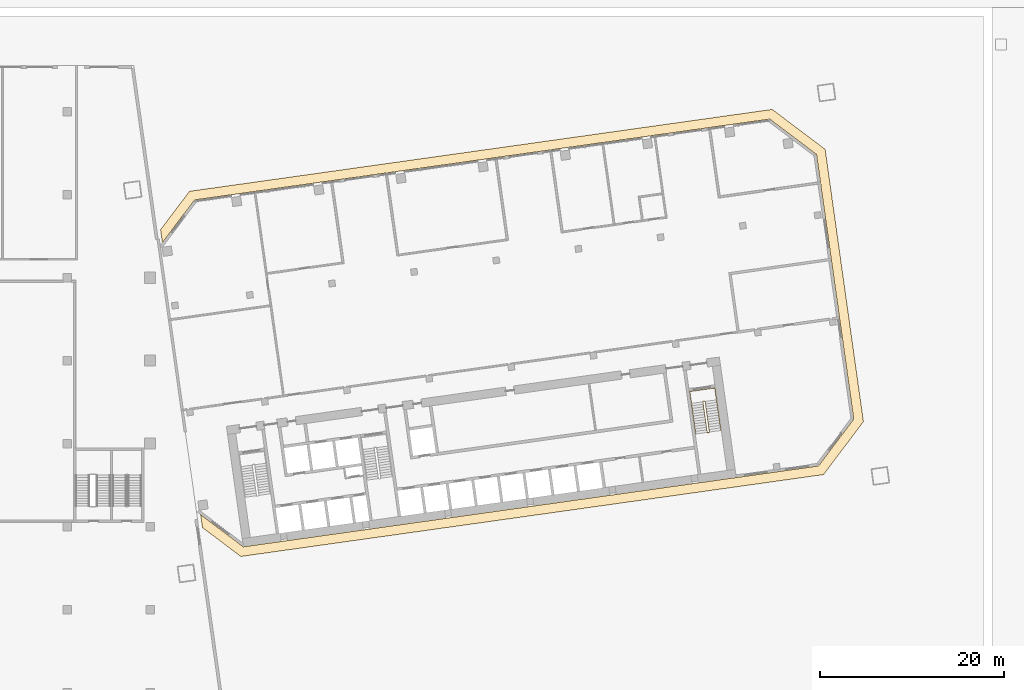
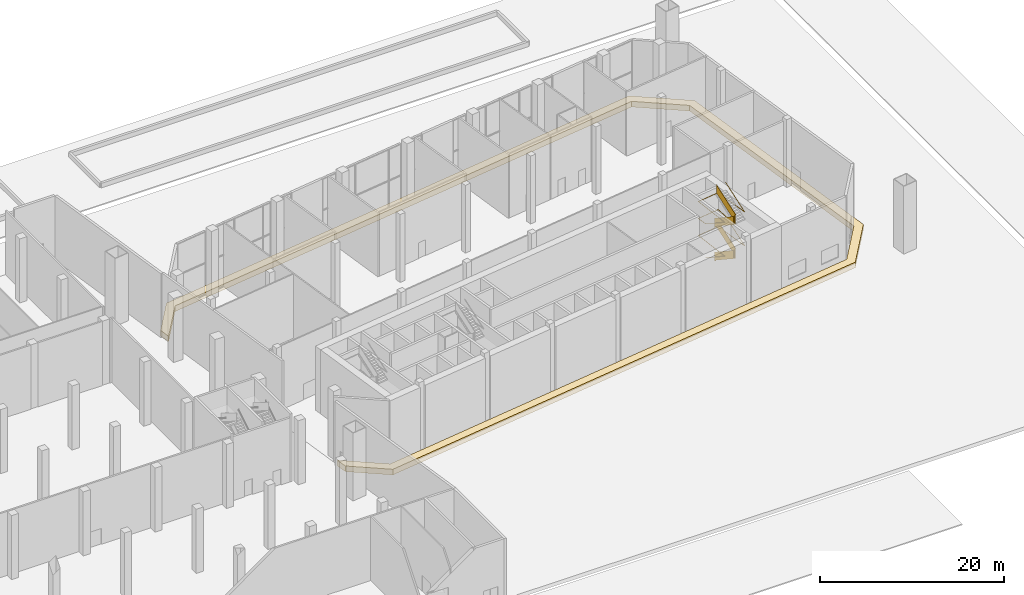
# One storey, part 34 of 34: 2 railings, 1 covering.
"""IFC4 building model written with IfcOpenShell, lengths in metres."""

from ifc_helpers import new_model, si_unit, direction, frame, origin, origin_2d, place, context, subcontext, project, spatial, polyline, rectangle, outline, extrude, material, layer, layer_set, type_object, element, save


model = new_model("IFC4")

# Units and contexts
model_context = context("Model", 3, precision=1e-05, world=origin(), true_north=direction((0.0, 1.0)))
body_context = subcontext(model_context, "Body", "Model", "MODEL_VIEW")
ifc_project = project(units=[si_unit("LENGTHUNIT", "METRE"), si_unit("AREAUNIT", "SQUARE_METRE"), si_unit("VOLUMEUNIT", "CUBIC_METRE"), si_unit("PLANEANGLEUNIT", "RADIAN"), si_unit("MASSUNIT", "GRAM", prefix="KILO")], contexts=[model_context])

# Site, building, storey
site_placement = place(None, origin())
site = spatial("IfcSite", under=ifc_project, at=site_placement, CompositionType="ELEMENT")
building_placement = place(site_placement, origin())
building = spatial("IfcBuilding", under=site, at=building_placement, Name="Mirante Cascada Hotel Towers", CompositionType="ELEMENT")
storey_placement = place(building_placement, origin())
storey = spatial("IfcBuildingStorey", under=building, at=storey_placement, Name="L00", CompositionType="ELEMENT", Elevation=0.0)

# Covering
ifc_material_1 = material(Name="Precast concrete C40/50 white", Category="concrete")
ifc_layer = layer(ifc_material_1, 0.6)
ifc_layer_set = layer_set([ifc_layer], Name="Precast concrete SUNSHADE band 1000x600")
covering_type = type_object("IfcCoveringType", Name="Precast concrete SUNSHADE band 1000x600", PredefinedType="CLADDING", material=ifc_layer_set)
covering_placement = place(storey_placement, frame((0.0, 0.0, -0.6)))
element("IfcCovering", 1, at=covering_placement, inside=storey, type_object=covering_type, Name="Precast concrete SUNSHADE band T2 L00", PredefinedType="CLADDING", context=body_context, shape_type="SweptSolid", body=[
    extrude(outline(polyline([(94.4698, 27.2572), (100.2139, 22.9287), (104.3652, -6.6094), (100.0367, -12.3535), (36.8295, -21.2367), (32.6666, -18.0998), (32.4698, -16.6993), (37.1005, -20.1888), (99.4874, -11.4209), (103.3173, -6.3384), (99.2813, 22.3794), (94.1988, 26.2093), (31.8119, 17.4414), (28.3224, 12.8107), (28.1256, 14.2111), (31.2626, 18.374), (94.4698, 27.2572)])), origin(), (0.0, 0.0, 1.0), 0.75),
])

# Railings
ifc_material_2 = material(Name="Painted steel", Category="steel")
railing_type_1 = type_object("IfcRailingType", Name="Stair guard 1100 steel balustrade", PredefinedType="GUARDRAIL", material=ifc_material_2)
railing_1_placement = place(storey_placement, frame((87.1361, -4.3713, 0.0)))
element("IfcRailing", 2, at=railing_1_placement, inside=storey, type_object=railing_type_1, Name="L00 ST2-C stair guard 1", PredefinedType="GUARDRAIL", context=body_context, shape_type="SweptSolid", body=[
    extrude(rectangle(XDim=0.048, YDim=0.048, at=origin_2d()), frame((0.0, 0.0, 1.076), z_axis=(-0.9902537, -0.1392753, 0.0), x_axis=(0.1392753, -0.9902537, 0.0)), (0.0, 0.0, 1.0), 0.1501),
    extrude(rectangle(XDim=0.02, YDim=1.052, at=origin_2d()), frame((0.0, 0.0, 0.526), z_axis=(-0.9902537, -0.1392753, 0.0), x_axis=(0.1392753, -0.9902537, 0.0)), (0.0, 0.0, 1.0), 0.1501),
    extrude(rectangle(XDim=0.048, YDim=0.048, at=origin_2d()), frame((-0.1486, -0.0209, 1.076), z_axis=(-0.601811, -0.7986386, 0.0), x_axis=(0.7986386, -0.601811, 0.0)), (0.0, 0.9259092, 0.3777462), 0.187),
    extrude(rectangle(XDim=0.02, YDim=1.052, at=origin_2d()), frame((-0.1486, -0.0209, 0.526), z_axis=(-0.601811, -0.7986386, 0.0), x_axis=(0.7986386, -0.601811, 0.0)), (0.0, 0.9259092, 0.3777462), 0.187),
    extrude(rectangle(XDim=0.048, YDim=0.048, at=origin_2d()), frame((-0.1911, -0.0773, 1.2491), z_axis=(0.1391668, -0.990269, 0.0), x_axis=(0.990269, 0.1391668, 0.0)), (0.0, 0.5257875, 0.8506159), 3.9501),
    extrude(rectangle(XDim=0.02, YDim=1.052, at=origin_2d()), frame((-0.1911, -0.0773, 0.6991), z_axis=(0.1391668, -0.990269, 0.0), x_axis=(0.990269, 0.1391668, 0.0)), (0.0, 0.5257875, 0.8506159), 3.9501),
    extrude(rectangle(XDim=0.048, YDim=0.048, at=origin_2d()), frame((0.2765, -3.4046, 3.326), z_axis=(0.9944441, -0.1052656, 0.0), x_axis=(0.1052656, 0.9944441, 0.0)), (0.0, 0.0, 1.0), 0.2061),
    extrude(rectangle(XDim=0.02, YDim=1.052, at=origin_2d()), frame((0.2765, -3.4046, 2.776), z_axis=(0.9944441, -0.1052656, 0.0), x_axis=(0.1052656, 0.9944441, 0.0)), (0.0, 0.0, 1.0), 0.2061),
    extrude(rectangle(XDim=0.048, YDim=0.048, at=origin_2d()), frame((0.4815, -3.4263, 3.326), z_axis=(-0.9902408, -0.1393672, 0.0), x_axis=(0.1393672, -0.9902408, 0.0)), (0.0, 0.0, 1.0), 0.15),
    extrude(rectangle(XDim=0.02, YDim=1.052, at=origin_2d()), frame((0.4815, -3.4263, 2.776), z_axis=(-0.9902408, -0.1393672, 0.0), x_axis=(0.1393672, -0.9902408, 0.0)), (0.0, 0.0, 1.0), 0.15),
    extrude(rectangle(XDim=0.048, YDim=0.048, at=origin_2d()), frame((0.333, -3.4472, 3.326), z_axis=(0.9268624, 0.3754011, 0.0), x_axis=(-0.3754011, 0.9268624, 0.0)), (0.0, 0.6429944, 0.7658709), 0.2692),
    extrude(rectangle(XDim=0.02, YDim=1.052, at=origin_2d()), frame((0.333, -3.4472, 2.776), z_axis=(0.9268624, 0.3754011, 0.0), x_axis=(-0.3754011, 0.9268624, 0.0)), (0.0, 0.6429944, 0.7658709), 0.2692),
    extrude(rectangle(XDim=0.048, YDim=0.048, at=origin_2d()), frame((0.5241, -3.3698, 3.4991), z_axis=(-0.139196, 0.9902648, 0.0), x_axis=(-0.9902648, -0.139196, 0.0)), (0.0, 0.525786, 0.8506169), 3.9501),
    extrude(rectangle(XDim=0.02, YDim=1.052, at=origin_2d()), frame((0.5241, -3.3698, 2.9491), z_axis=(-0.139196, 0.9902648, 0.0), x_axis=(-0.9902648, -0.139196, 0.0)), (0.0, 0.525786, 0.8506169), 3.9501),
    extrude(rectangle(XDim=0.048, YDim=0.048, at=origin_2d()), frame((0.0564, -0.0425, 5.576), z_axis=(-0.7986386, 0.601811, 0.0), x_axis=(-0.601811, -0.7986386, 0.0)), (0.0, 0.0, 1.0), 0.0706),
    extrude(rectangle(XDim=0.02, YDim=1.052, at=origin_2d()), frame((0.0564, -0.0425, 5.026), z_axis=(-0.7986386, 0.601811, 0.0), x_axis=(-0.601811, -0.7986386, 0.0)), (0.0, 0.0, 1.0), 0.0706),
    extrude(rectangle(XDim=0.048, YDim=0.048, at=origin_2d()), frame((0.0, 0.0, 5.576), z_axis=(-0.9902537, -0.1392753, 0.0), x_axis=(0.1392753, -0.9902537, 0.0)), (0.0, 0.0, 1.0), 0.1501),
    extrude(rectangle(XDim=0.02, YDim=1.052, at=origin_2d()), frame((0.0, 0.0, 5.026), z_axis=(-0.9902537, -0.1392753, 0.0), x_axis=(0.1392753, -0.9902537, 0.0)), (0.0, 0.0, 1.0), 0.1501),
    extrude(rectangle(XDim=0.048, YDim=0.048, at=origin_2d()), frame((-0.1486, -0.0209, 5.576), z_axis=(-0.601811, -0.7986386, 0.0), x_axis=(0.7986386, -0.601811, 0.0)), (0.0, 0.9259092, 0.3777462), 0.187),
    extrude(rectangle(XDim=0.02, YDim=1.052, at=origin_2d()), frame((-0.1486, -0.0209, 5.026), z_axis=(-0.601811, -0.7986386, 0.0), x_axis=(0.7986386, -0.601811, 0.0)), (0.0, 0.9259092, 0.3777462), 0.187),
    extrude(rectangle(XDim=0.048, YDim=0.048, at=origin_2d()), frame((-0.1911, -0.0773, 5.7491), z_axis=(0.1391668, -0.990269, 0.0), x_axis=(0.990269, 0.1391668, 0.0)), (0.0, 0.5257875, 0.8506159), 3.9501),
    extrude(rectangle(XDim=0.02, YDim=1.052, at=origin_2d()), frame((-0.1911, -0.0773, 5.1991), z_axis=(0.1391668, -0.990269, 0.0), x_axis=(0.990269, 0.1391668, 0.0)), (0.0, 0.5257875, 0.8506159), 3.9501),
    extrude(rectangle(XDim=0.048, YDim=0.048, at=origin_2d()), frame((0.2765, -3.4046, 7.826), z_axis=(0.9944441, -0.1052656, 0.0), x_axis=(0.1052656, 0.9944441, 0.0)), (0.0, 0.0, 1.0), 0.2061),
    extrude(rectangle(XDim=0.02, YDim=1.052, at=origin_2d()), frame((0.2765, -3.4046, 7.276), z_axis=(0.9944441, -0.1052656, 0.0), x_axis=(0.1052656, 0.9944441, 0.0)), (0.0, 0.0, 1.0), 0.2061),
    extrude(rectangle(XDim=0.048, YDim=0.048, at=origin_2d()), frame((0.4815, -3.4263, 7.826), z_axis=(-0.9902408, -0.1393672, 0.0), x_axis=(0.1393672, -0.9902408, 0.0)), (0.0, 0.0, 1.0), 0.15),
    extrude(rectangle(XDim=0.02, YDim=1.052, at=origin_2d()), frame((0.4815, -3.4263, 7.276), z_axis=(-0.9902408, -0.1393672, 0.0), x_axis=(0.1393672, -0.9902408, 0.0)), (0.0, 0.0, 1.0), 0.15),
    extrude(rectangle(XDim=0.048, YDim=0.048, at=origin_2d()), frame((0.333, -3.4472, 7.826), z_axis=(0.9268624, 0.3754011, 0.0), x_axis=(-0.3754011, 0.9268624, 0.0)), (0.0, 0.6429944, 0.7658709), 0.2692),
    extrude(rectangle(XDim=0.02, YDim=1.052, at=origin_2d()), frame((0.333, -3.4472, 7.276), z_axis=(0.9268624, 0.3754011, 0.0), x_axis=(-0.3754011, 0.9268624, 0.0)), (0.0, 0.6429944, 0.7658709), 0.2692),
    extrude(rectangle(XDim=0.048, YDim=0.048, at=origin_2d()), frame((0.5241, -3.3698, 7.9991), z_axis=(-0.139196, 0.9902648, 0.0), x_axis=(-0.9902648, -0.139196, 0.0)), (0.0, 0.525786, 0.8506169), 3.9501),
    extrude(rectangle(XDim=0.02, YDim=1.052, at=origin_2d()), frame((0.5241, -3.3698, 7.4491), z_axis=(-0.139196, 0.9902648, 0.0), x_axis=(-0.9902648, -0.139196, 0.0)), (0.0, 0.525786, 0.8506169), 3.9501),
])
ifc_material_3 = material(Name="Painted steel", Category="steel")
railing_type_2 = type_object("IfcRailingType", Name="Stair handrail 900 steel tube", PredefinedType="HANDRAIL", material=ifc_material_3)
railing_2_placement = place(storey_placement, frame((85.7071, -4.6226, 0.1731)))
element("IfcRailing", 3, at=railing_2_placement, inside=storey, type_object=railing_type_2, Name="L00 ST2-C stair handrail 1", PredefinedType="HANDRAIL", context=body_context, shape_type="SweptSolid", body=[
    extrude(rectangle(XDim=0.048, YDim=0.048, at=origin_2d()), frame((0.0, 0.0, 0.876), z_axis=(0.139196, -0.9902648, 0.0), x_axis=(0.9902648, 0.139196, 0.0)), (0.0, 0.525786, 0.8506169), 3.9501),
    extrude(rectangle(XDim=0.048, YDim=0.048, at=origin_2d()), frame((0.4677, -3.3273, 2.9529), z_axis=(-0.1391828, 0.9902667, 0.0), x_axis=(-0.9902667, -0.1391828, 0.0)), (0.0, 0.0371199, 0.9993108), 4.6633),
    extrude(rectangle(XDim=0.048, YDim=0.048, at=origin_2d()), frame((-0.1809, 1.2874, 3.126), z_axis=(0.9902691, 0.1391657, 0.0), x_axis=(-0.1391657, 0.9902691, 0.0)), (0.0, 0.0, 1.0), 2.75),
    extrude(rectangle(XDim=0.048, YDim=0.048, at=origin_2d()), frame((2.5423, 1.6701, 3.126), z_axis=(0.1391828, -0.9902667, 0.0), x_axis=(0.9902667, 0.1391828, 0.0)), (0.0, 0.0, 1.0), 4.6601),
    extrude(rectangle(XDim=0.048, YDim=0.048, at=origin_2d()), frame((3.1909, -2.9446, 3.126), z_axis=(-0.1391668, 0.990269, 0.0), x_axis=(-0.990269, -0.1391668, 0.0)), (0.0, 0.5257875, 0.8506159), 3.9501),
    extrude(rectangle(XDim=0.048, YDim=0.048, at=origin_2d()), frame((2.7234, 0.3817, 5.2028), z_axis=(-0.1392242, 0.9902609, 0.0), x_axis=(-0.9902609, -0.1392242, 0.0)), (0.0, 0.1319828, 0.991252), 1.3125),
    extrude(rectangle(XDim=0.048, YDim=0.048, at=origin_2d()), frame((2.5423, 1.6701, 5.376), z_axis=(-0.9902691, -0.1391657, 0.0), x_axis=(0.1391657, -0.9902691, 0.0)), (0.0, 0.0, 1.0), 2.75),
    extrude(rectangle(XDim=0.048, YDim=0.048, at=origin_2d()), frame((-0.1809, 1.2874, 5.376), z_axis=(0.1391488, -0.9902715, 0.0), x_axis=(0.9902715, 0.1391488, 0.0)), (0.0, 0.0, 1.0), 1.3),
    extrude(rectangle(XDim=0.048, YDim=0.048, at=origin_2d()), frame((-0.0001, 0.0008, 5.3755), z_axis=(0.139196, -0.9902648, 0.0), x_axis=(0.9902648, 0.139196, 0.0)), (0.0, 0.525786, 0.8506169), 3.9511),
    extrude(rectangle(XDim=0.048, YDim=0.048, at=origin_2d()), frame((0.4677, -3.3273, 7.4529), z_axis=(-0.1391828, 0.9902667, 0.0), x_axis=(-0.9902667, -0.1391828, 0.0)), (0.0, 0.0371199, 0.9993108), 4.6633),
    extrude(rectangle(XDim=0.048, YDim=0.048, at=origin_2d()), frame((-0.1809, 1.2874, 7.626), z_axis=(0.9902691, 0.1391657, 0.0), x_axis=(-0.1391657, 0.9902691, 0.0)), (0.0, 0.0, 1.0), 2.75),
    extrude(rectangle(XDim=0.048, YDim=0.048, at=origin_2d()), frame((2.5423, 1.6701, 7.626), z_axis=(0.1391828, -0.9902667, 0.0), x_axis=(0.9902667, 0.1391828, 0.0)), (0.0, 0.0, 1.0), 4.6601),
    extrude(rectangle(XDim=0.048, YDim=0.048, at=origin_2d()), frame((3.1909, -2.9446, 7.626), z_axis=(-0.1391668, 0.990269, 0.0), x_axis=(-0.990269, -0.1391668, 0.0)), (0.0, 0.5257875, 0.8506159), 3.9501),
])

save(model, "model.ifc")
